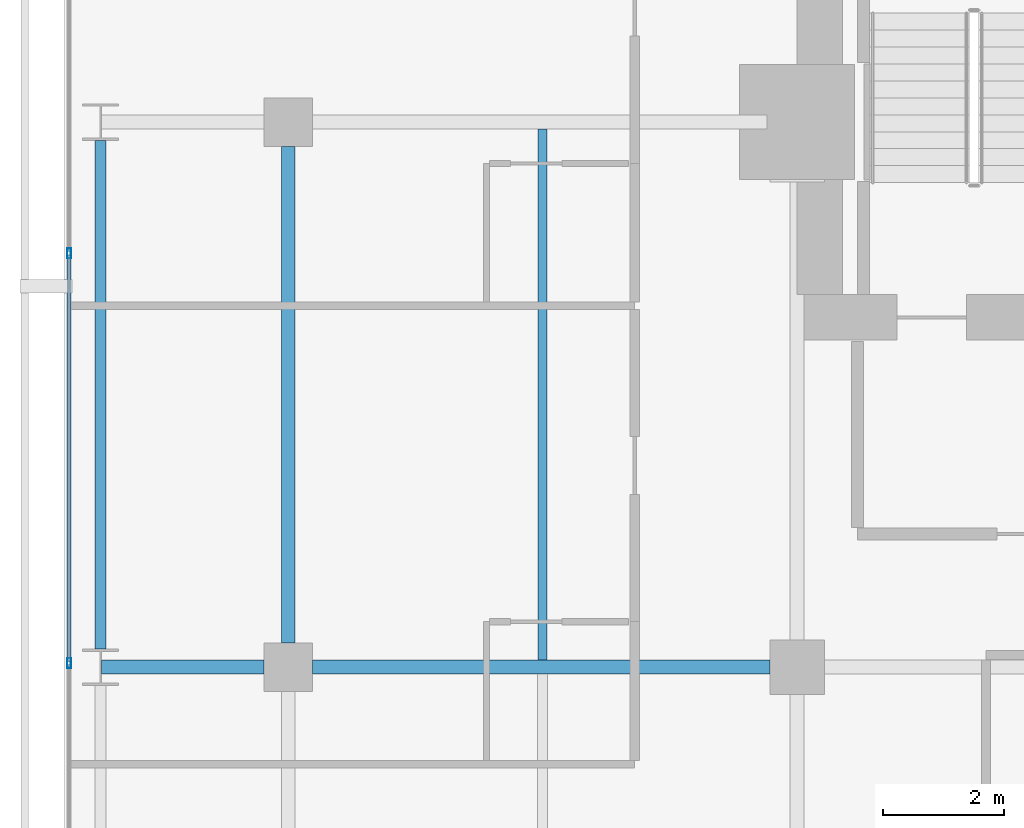
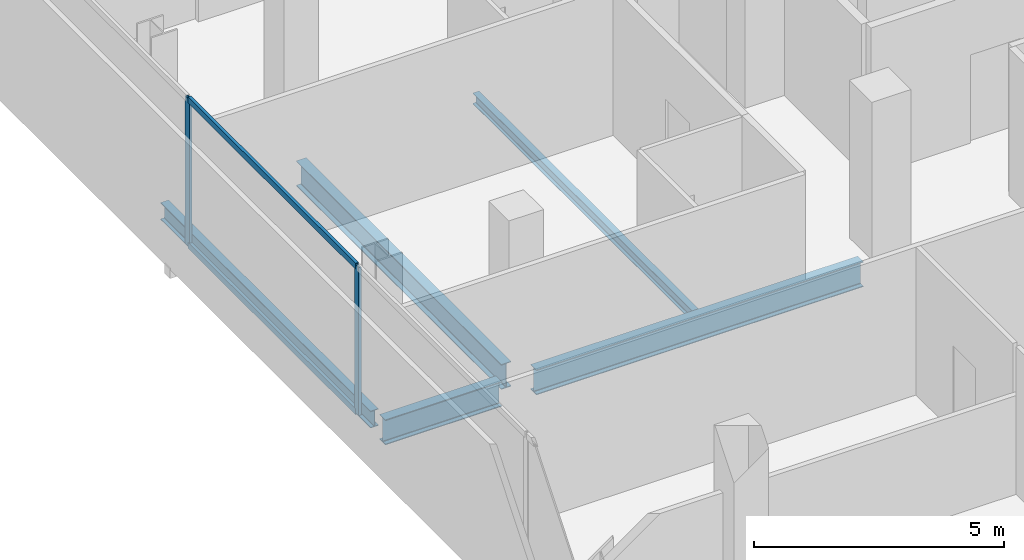
# One storey, part 18 of 34: 5 beams, 4 members, 1 element without a shape of its own.
"""IFC4 building model written with IfcOpenShell, lengths in metres."""

from ifc_helpers import new_model, si_unit, direction, frame, origin, origin_2d, place, context, subcontext, project, spatial, hollow_rectangle, i_section, extrude, material, layer, layer_set, material_profile, profile_set, type_object, element, aggregate, save


model = new_model("IFC4")

# Units and contexts
model_context = context("Model", 3, precision=1e-05, world=origin(), true_north=direction((0.0, 1.0)))
body_context = subcontext(model_context, "Body", "Model", "MODEL_VIEW")
ifc_project = project(units=[si_unit("LENGTHUNIT", "METRE"), si_unit("AREAUNIT", "SQUARE_METRE"), si_unit("VOLUMEUNIT", "CUBIC_METRE"), si_unit("PLANEANGLEUNIT", "RADIAN"), si_unit("MASSUNIT", "GRAM", prefix="KILO")], contexts=[model_context])

# Site, building, storey
site_placement = place(None, origin())
site = spatial("IfcSite", under=ifc_project, at=site_placement, CompositionType="ELEMENT")
building_placement = place(site_placement, origin())
building = spatial("IfcBuilding", under=site, at=building_placement, Name="Maruvema Waterfront Hotel and Observation Tower", CompositionType="ELEMENT")
storey_placement = place(building_placement, frame((0.0, 0.0, 135.10009765625)))
storey = spatial("IfcBuildingStorey", under=building, at=storey_placement, Name="L32", CompositionType="ELEMENT", Elevation=135.10009765625)

# Curtain wall, members
ifc_material_1 = material(Name="Anodised bronze aluminium and solar-control low-E IGU", Category="aluminium")
ifc_layer = layer(ifc_material_1, 0.159912109375, Name="Zone 2 Amber Inner Thermal Curtain Wall System CW-03")
ifc_layer_set = layer_set([ifc_layer], Name="Anodised bronze aluminium and solar-control low-E IGU")
curtain_wall_type = type_object("IfcCurtainWallType", Name="Zone 2 Amber Inner Thermal Curtain Wall System CW-03", PredefinedType="USERDEFINED", material=ifc_layer_set)
curtain_wall_placement = place(storey_placement, origin())
curtain_wall = element("IfcCurtainWall", 1, at=curtain_wall_placement, inside=storey, type_object=curtain_wall_type, Name="L32 Curtain Wall CW-L32-W", ObjectType="UNITISED CURTAIN WALL", PredefinedType="USERDEFINED")
ifc_material_2 = material(Name="Anodised architectural bronze aluminium", Category="aluminium")
ifc_material_profile_1 = material_profile(ifc_material_2, hollow_rectangle(XDim=0.070068359375, YDim=0.14990234375, WallThickness=0.00390625, at=origin_2d()), Name="ALU-T70x150")
ifc_profile_set_1 = profile_set([ifc_material_profile_1], Name="Anodised architectural bronze aluminium")
member_type_1 = type_object("IfcMemberType", Name="Curtain Wall Horizontal Transom ALU-T70x150", PredefinedType="USERDEFINED", material=ifc_profile_set_1)
member_1_placement = place(storey_placement, frame((13.179931640625, 42.80322265625, 0.02978515625), z_axis=(0.0, -1.0, 0.0), x_axis=(1.0, 0.0, 0.0)))
member_1 = element("IfcMember", 2, at=member_1_placement, type_object=member_type_1, Name="CW-03 transom 2.1", ObjectType="TRANSOM", PredefinedType="USERDEFINED", context=body_context, shape_type="SweptSolid", body=[
    extrude(hollow_rectangle(XDim=0.070068359375, YDim=0.14990234375, WallThickness=0.00390625, at=origin_2d()), origin(), (0.0, 0.0, 1.0), 6.70654296875),
])
member_2_placement = place(storey_placement, frame((13.179931640625, 42.80322265625, 3.579833984375), z_axis=(0.0, -1.0, 0.0), x_axis=(1.0, 0.0, 0.0)))
member_2 = element("IfcMember", 3, at=member_2_placement, type_object=member_type_1, Name="CW-03 transom 2.2", ObjectType="TRANSOM", PredefinedType="USERDEFINED", context=body_context, shape_type="SweptSolid", body=[
    extrude(hollow_rectangle(XDim=0.070068359375, YDim=0.14990234375, WallThickness=0.00390625, at=origin_2d()), origin(), (0.0, 0.0, 1.0), 6.70654296875),
])
ifc_material_3 = material(Name="Anodised architectural bronze aluminium", Category="aluminium")
ifc_material_profile_2 = material_profile(ifc_material_3, hollow_rectangle(XDim=0.06494140625, YDim=0.1650390625, WallThickness=0.00390625, at=origin_2d()), Name="ALU-M65x165")
ifc_profile_set_2 = profile_set([ifc_material_profile_2], Name="Anodised architectural bronze aluminium")
member_type_2 = type_object("IfcMemberType", Name="Curtain Wall Primary Mullion ALU-M65x165", PredefinedType="MULLION", material=ifc_profile_set_2)
member_3_placement = place(storey_placement, frame((13.179931640625, 42.833251953125, 0.0), z_axis=(0.0, 0.0, 1.0), x_axis=(1.0, 0.0, 0.0)))
member_3 = element("IfcMember", 4, at=member_3_placement, type_object=member_type_2, Name="CW-03 mullion 2", PredefinedType="MULLION", context=body_context, shape_type="SweptSolid", body=[
    extrude(hollow_rectangle(XDim=0.06494140625, YDim=0.1650390625, WallThickness=0.00390625, at=origin_2d()), origin(), (0.0, 0.0, 1.0), 3.60986328125),
])
member_4_placement = place(storey_placement, frame((13.179931640625, 36.066650390625, 0.0), z_axis=(0.0, 0.0, 1.0), x_axis=(1.0, 0.0, 0.0)))
member_4 = element("IfcMember", 5, at=member_4_placement, type_object=member_type_2, Name="CW-03 mullion 3", PredefinedType="MULLION", context=body_context, shape_type="SweptSolid", body=[
    extrude(hollow_rectangle(XDim=0.06494140625, YDim=0.1650390625, WallThickness=0.00390625, at=origin_2d()), origin(), (0.0, 0.0, 1.0), 3.60986328125),
])
aggregate(curtain_wall, [member_3, member_4, member_1, member_2])

# Beams
ifc_material_4 = material(Name="Steel ASTM A572 Grade 50", Category="steel")
ifc_material_profile_3 = material_profile(ifc_material_4, i_section(OverallWidth=0.180908203125, OverallDepth=0.4169921875, WebThickness=0.010986328125, FlangeThickness=0.018310546875, FilletRadius=0.014892578125, at=origin_2d()), Name="W410x85.0")
ifc_profile_set_3 = profile_set([ifc_material_profile_3], Name="Steel ASTM A572 Grade 50")
beam_type_1 = type_object("IfcBeamType", Name="Perimeter Spandrel Beam W410x85.0", PredefinedType="SPANDREL", material=ifc_profile_set_3)
beam_1_placement = place(storey_placement, frame((13.699951171875, 36.300048828125, -0.448486328125), z_axis=(0.0, 1.0, 0.0), x_axis=(-1.0, 0.0, 0.0)))
element("IfcBeam", 6, at=beam_1_placement, inside=storey, type_object=beam_type_1, Name="L32 Floor Girder NS-04", PredefinedType="SPANDREL", context=body_context, shape_type="SweptSolid", body=[
    extrude(i_section(OverallWidth=0.180908203125, OverallDepth=0.4169921875, WebThickness=0.010986328125, FlangeThickness=0.018310546875, FilletRadius=0.014892578125, at=origin_2d()), origin(), (0.0, 0.0, 1.0), 8.39990234375),
])
ifc_material_5 = material(Name="Steel ASTM A572 Grade 50", Category="steel")
ifc_material_profile_4 = material_profile(ifc_material_5, i_section(OverallWidth=0.22900390625, OverallDepth=0.612060546875, WebThickness=0.011962890625, FlangeThickness=0.01953125, FilletRadius=0.01806640625, at=origin_2d()), Name="W610x125.0")
ifc_profile_set_4 = profile_set([ifc_material_profile_4], Name="Steel ASTM A572 Grade 50")
beam_type_2 = type_object("IfcBeamType", Name="Primary Floor Girder W610x125.0", PredefinedType="BEAM", material=ifc_profile_set_4)
beam_2_placement = place(storey_placement, frame((13.71240234375, 36.0, -0.546142578125), z_axis=(1.0, 0.0, 0.0), x_axis=(0.0, 1.0, 0.0)))
element("IfcBeam", 7, at=beam_2_placement, inside=storey, type_object=beam_type_2, Name="L32 Floor Girder EW-23", PredefinedType="BEAM", context=body_context, shape_type="SweptSolid", body=[
    extrude(i_section(OverallWidth=0.22900390625, OverallDepth=0.612060546875, WebThickness=0.011962890625, FlangeThickness=0.01953125, FilletRadius=0.01806640625, at=origin_2d()), origin(), (0.0, 0.0, 1.0), 2.6875),
])
beam_3_placement = place(storey_placement, frame((17.199951171875, 36.0, -0.546142578125), z_axis=(1.0, 0.0, 0.0), x_axis=(0.0, 1.0, 0.0)))
element("IfcBeam", 8, at=beam_3_placement, inside=storey, type_object=beam_type_2, Name="L32 Floor Girder EW-24", PredefinedType="BEAM", context=body_context, shape_type="SweptSolid", body=[
    extrude(i_section(OverallWidth=0.22900390625, OverallDepth=0.612060546875, WebThickness=0.011962890625, FlangeThickness=0.01953125, FilletRadius=0.01806640625, at=origin_2d()), origin(), (0.0, 0.0, 1.0), 7.550048828125),
])
beam_4_placement = place(storey_placement, frame((16.800048828125, 36.39990234375, -0.546142578125), z_axis=(0.0, 1.0, 0.0), x_axis=(-1.0, 0.0, 0.0)))
element("IfcBeam", 9, at=beam_4_placement, inside=storey, type_object=beam_type_2, Name="L32 Floor Girder NS-08", PredefinedType="BEAM", context=body_context, shape_type="SweptSolid", body=[
    extrude(i_section(OverallWidth=0.22900390625, OverallDepth=0.612060546875, WebThickness=0.011962890625, FlangeThickness=0.01953125, FilletRadius=0.01806640625, at=origin_2d()), origin(), (0.0, 0.0, 1.0), 8.2001953125),
])
ifc_material_6 = material(Name="Steel ASTM A572 Grade 50", Category="steel")
ifc_material_profile_5 = material_profile(ifc_material_6, i_section(OverallWidth=0.14794921875, OverallDepth=0.26611328125, WebThickness=0.007568359375, FlangeThickness=0.012939453125, FilletRadius=0.012939453125, at=origin_2d()), Name="W250x44.8")
ifc_profile_set_5 = profile_set([ifc_material_profile_5], Name="Steel ASTM A572 Grade 50")
beam_type_3 = type_object("IfcBeamType", Name="Secondary Floor Joist W250x44.8", PredefinedType="JOIST", material=ifc_profile_set_5)
beam_5_placement = place(storey_placement, frame((21.0, 36.114501953125, -0.373046875), z_axis=(0.0, 1.0, 0.0), x_axis=(-1.0, 0.0, 0.0)))
element("IfcBeam", 10, at=beam_5_placement, inside=storey, type_object=beam_type_3, Name="L32 Secondary Floor Joist JS-04", PredefinedType="JOIST", context=body_context, shape_type="SweptSolid", body=[
    extrude(i_section(OverallWidth=0.14794921875, OverallDepth=0.26611328125, WebThickness=0.007568359375, FlangeThickness=0.012939453125, FilletRadius=0.012939453125, at=origin_2d()), origin(), (0.0, 0.0, 1.0), 8.77099609375),
])

save(model, "model.ifc")
